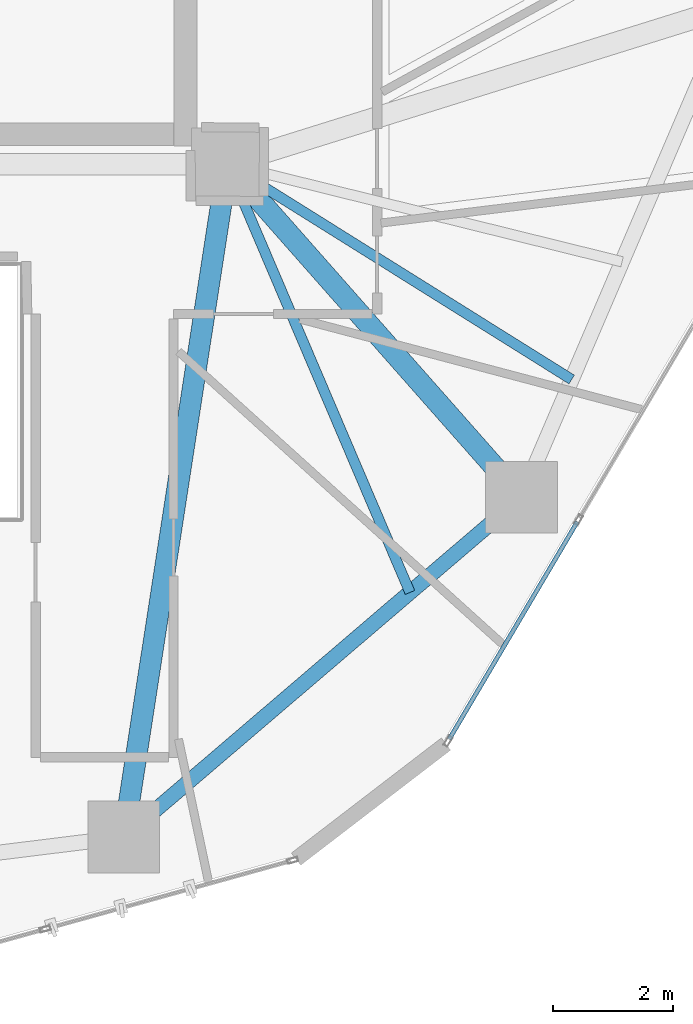
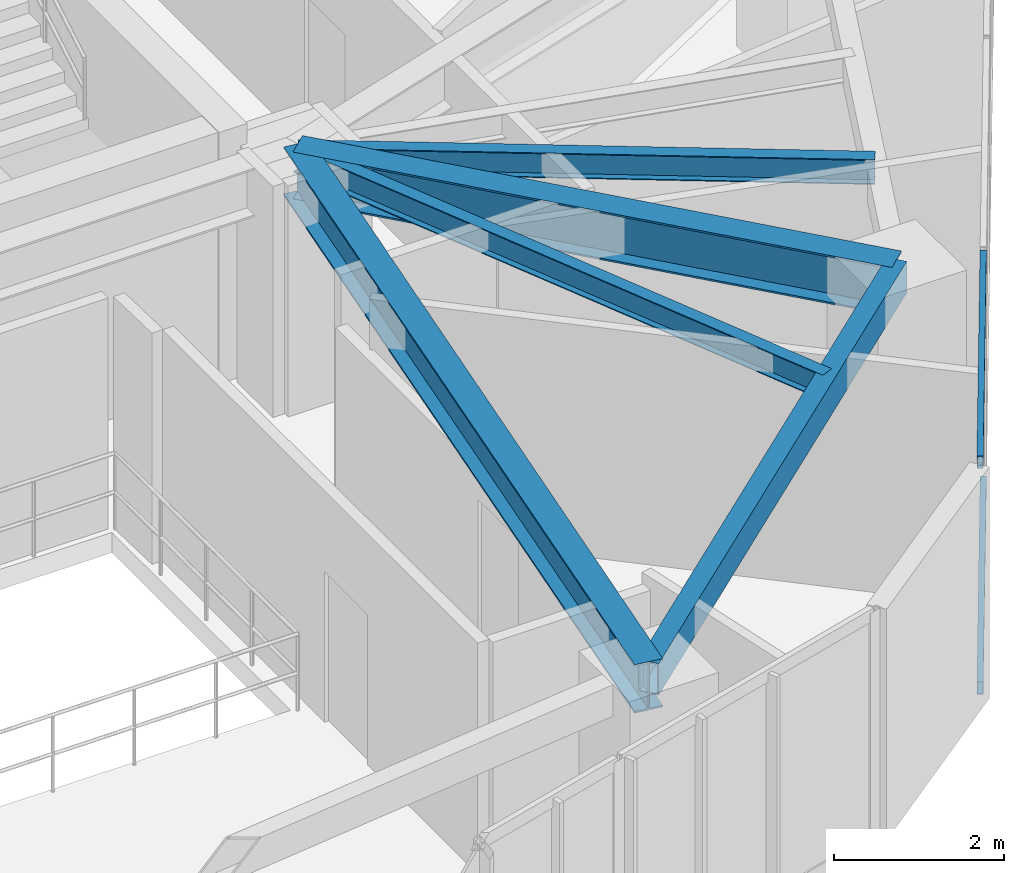
# One storey, part 6 of 20: 5 beams, 2 members, 1 element without a shape of its own.
"""IFC4 building model written with IfcOpenShell, lengths in metres."""

from ifc_helpers import new_model, si_unit, direction, frame, origin, origin_2d, place, context, subcontext, project, spatial, hollow_rectangle, i_section, extrude, source, transform, mapped, material, layer, layer_set, material_profile, profile_set, type_object, type_shapes, element, aggregate, save


model = new_model("IFC4")

# Units and contexts
model_context = context("Model", 3, precision=1e-05, world=origin(), true_north=direction((0.0, 1.0)))
body_context = subcontext(model_context, "Body", "Model", "MODEL_VIEW")
ifc_project = project(units=[si_unit("LENGTHUNIT", "METRE"), si_unit("AREAUNIT", "SQUARE_METRE"), si_unit("VOLUMEUNIT", "CUBIC_METRE"), si_unit("PLANEANGLEUNIT", "RADIAN"), si_unit("MASSUNIT", "GRAM", prefix="KILO")], contexts=[model_context])

# Site, building, storey
site_placement = place(None, origin())
site = spatial("IfcSite", under=ifc_project, at=site_placement, CompositionType="ELEMENT")
building_placement = place(site_placement, origin())
building = spatial("IfcBuilding", under=site, at=building_placement, Name="Talar Marvaseh", CompositionType="ELEMENT")
storey_placement = place(building_placement, frame((0.0, 0.0, 136.199951171875)))
storey = spatial("IfcBuildingStorey", under=building, at=storey_placement, Name="L35", CompositionType="ELEMENT", Elevation=136.199951171875)

# Beams
ifc_material_1 = material(Name="Steel S355", Category="steel")
ifc_material_profile_1 = material_profile(ifc_material_1, hollow_rectangle(XDim=0.25, YDim=0.449951171875, WallThickness=0.01611328125, at=origin_2d()), Name="RHS450x250x16")
ifc_profile_set_1 = profile_set([ifc_material_profile_1], Name="Steel S355")
beam_type_1 = type_object("IfcBeamType", Name="Zone 2 Perimeter Spandrel Beam RHS450x250x16", PredefinedType="SPANDREL", material=ifc_profile_set_1)
beam_1_placement = place(storey_placement, frame((38.2060546875, 19.94091796875, 3.0849609375), z_axis=(-0.76011265597, -0.649791312833, 0.0), x_axis=(0.649791312833, -0.76011265597, 0.0)))
element("IfcBeam", 1, at=beam_1_placement, inside=storey, type_object=beam_type_1, Name="L35 Zone 2 Perimeter Spandrel Beam RHS450x250x16", PredefinedType="SPANDREL", context=body_context, shape_type="SweptSolid", body=[
    extrude(hollow_rectangle(XDim=0.25, YDim=0.449951171875, WallThickness=0.01611328125, at=origin_2d()), origin(), (0.0, 0.0, 1.0), 8.730224609375),
])
ifc_material_profile_2 = material_profile(ifc_material_1, i_section(OverallWidth=0.35498046875, OverallDepth=0.695068359375, WebThickness=0.015380859375, FlangeThickness=0.02490234375, at=origin_2d()), Name="W690x217")
ifc_profile_set_2 = profile_set([ifc_material_profile_2], Name="Steel S355")
beam_type_2 = type_object("IfcBeamType", Name="Zone 2 Radial Floor Girder W690x217", PredefinedType="BEAM", material=ifc_profile_set_2)
beam_2_placement = place(storey_placement, frame((38.2060546875, 19.94091796875, 2.962646484375), z_axis=(-0.661692423388, 0.749775390921, 0.0), x_axis=(-0.749775390921, -0.661692423388, 0.0)))
element("IfcBeam", 2, at=beam_2_placement, inside=storey, type_object=beam_type_2, Name="L35 Zone 2 Radial Floor Girder W690x217", PredefinedType="BEAM", context=body_context, shape_type="SweptSolid", body=[
    extrude(i_section(OverallWidth=0.35498046875, OverallDepth=0.695068359375, WebThickness=0.015380859375, FlangeThickness=0.02490234375, at=origin_2d()), origin(), (0.0, 0.0, 1.0), 7.414306640625),
])
beam_3_placement = place(storey_placement, frame((31.570068359375, 14.26806640625, 2.962646484375), z_axis=(0.152228300633, 0.98834535689, 0.0), x_axis=(-0.98834535689, 0.152228300633, 0.0)))
element("IfcBeam", 3, at=beam_3_placement, inside=storey, type_object=beam_type_2, Name="L35 Zone 2 Radial Floor Girder W690x217", PredefinedType="BEAM", context=body_context, shape_type="SweptSolid", body=[
    extrude(i_section(OverallWidth=0.35498046875, OverallDepth=0.695068359375, WebThickness=0.015380859375, FlangeThickness=0.02490234375, at=origin_2d()), origin(), (0.0, 0.0, 1.0), 11.364501953125),
])
ifc_material_profile_3 = material_profile(ifc_material_1, i_section(OverallWidth=0.172119140625, OverallDepth=0.35791015625, WebThickness=0.0078125, FlangeThickness=0.01318359375, at=origin_2d()), Name="W360x57")
ifc_profile_set_3 = profile_set([ifc_material_profile_3], Name="Steel S355")
beam_type_3 = type_object("IfcBeamType", Name="Zone 2 Secondary Floor Joist W360x57", PredefinedType="JOIST", material=ifc_profile_set_3)
beam_4_placement = place(storey_placement, frame((39.046630859375, 21.906005859375, 3.131103515625), z_axis=(-0.84784042564, 0.530251461715, 0.0), x_axis=(-0.530251461715, -0.84784042564, 0.0)))
element("IfcBeam", 4, at=beam_4_placement, inside=storey, type_object=beam_type_3, Name="L35 Zone 2 Secondary Floor Joist W360x57", PredefinedType="JOIST", context=body_context, shape_type="SweptSolid", body=[
    extrude(i_section(OverallWidth=0.172119140625, OverallDepth=0.35791015625, WebThickness=0.0078125, FlangeThickness=0.01318359375, at=origin_2d()), origin(), (0.0, 0.0, 1.0), 6.77783203125),
])
beam_5_placement = place(storey_placement, frame((36.347900390625, 18.3525390625, 3.131103515625), z_axis=(-0.39225012708, 0.919858596636, 0.0), x_axis=(-0.919858596636, -0.39225012708, 0.0)))
element("IfcBeam", 5, at=beam_5_placement, inside=storey, type_object=beam_type_3, Name="L35 Zone 2 Secondary Floor Joist W360x57", PredefinedType="JOIST", context=body_context, shape_type="SweptSolid", body=[
    extrude(i_section(OverallWidth=0.172119140625, OverallDepth=0.35791015625, WebThickness=0.0078125, FlangeThickness=0.01318359375, at=origin_2d()), origin(), (0.0, 0.0, 1.0), 7.770263671875),
])

# Curtain wall, members
ifc_material_2 = material(Name="Architectural Aluminium", Category="aluminium")
ifc_layer = layer(ifc_material_2, 0.199951171875)
ifc_layer_set = layer_set([ifc_layer], Name="Architectural Aluminium")
curtain_wall_type = type_object("IfcCurtainWallType", Name="Unitised Acoustic Library Curtain Wall Z2", PredefinedType="NOTDEFINED", material=ifc_layer_set)
curtain_wall_placement = place(storey_placement, origin())
curtain_wall = element("IfcCurtainWall", 6, at=curtain_wall_placement, inside=storey, type_object=curtain_wall_type, Name="L35 Unitised Acoustic Library Curtain Wall Z2", PredefinedType="NOTDEFINED")
ifc_material_profile_4 = material_profile(ifc_material_2, hollow_rectangle(XDim=0.074951171875, YDim=0.179931640625, WallThickness=0.0048828125, at=origin_2d()), Name="RHS180x75x5")
ifc_profile_set_4 = profile_set([ifc_material_profile_4], Name="Architectural Aluminium")
member_type = type_object("IfcMemberType", Name="Unitised Curtain Wall Transom RHS180x75x5", PredefinedType="USERDEFINED", material=ifc_profile_set_4)
shared_shape = source(origin(), body_context, "Body", "SweptSolid", [
    extrude(hollow_rectangle(XDim=0.074951171875, YDim=0.179931640625, WallThickness=0.0048828125, at=origin_2d()), origin(), (0.0, 0.0, 1.0), 4.2109375),
])
type_shapes(member_type, [shared_shape])
member_1_placement = place(storey_placement, frame((39.140625, 19.531494140625, 0.03759765625), z_axis=(-0.507701529038, -0.861533027465, 0.0), x_axis=(0.861533027465, -0.507701529038, 0.0)))
member_1 = element("IfcMember", 7, at=member_1_placement, type_object=member_type, Name="CW-Z2 transom 5.1", ObjectType="TRANSOM", PredefinedType="USERDEFINED", context=body_context, shape_type="MappedRepresentation", body=[
    mapped(shared_shape, transform((0.0, 0.0, 0.0), x_axis=(1.0, 0.0, 0.0), y_axis=(0.0, 1.0, 0.0), z_axis=(0.0, 0.0, 1.0), scale=1.0)),
])
member_2_placement = place(storey_placement, frame((39.140625, 19.531494140625, 3.2724609375), z_axis=(-0.507701529038, -0.861533027465, 0.0), x_axis=(0.861533027465, -0.507701529038, 0.0)))
member_2 = element("IfcMember", 8, at=member_2_placement, type_object=member_type, Name="CW-Z2 transom 5.2", ObjectType="TRANSOM", PredefinedType="USERDEFINED", context=body_context, shape_type="MappedRepresentation", body=[
    mapped(shared_shape, transform((0.0, 0.0, 0.0), x_axis=(1.0, 0.0, 0.0), y_axis=(0.0, 1.0, 0.0), z_axis=(0.0, 0.0, 1.0), scale=1.0)),
])
aggregate(curtain_wall, [member_1, member_2])

save(model, "model.ifc")
